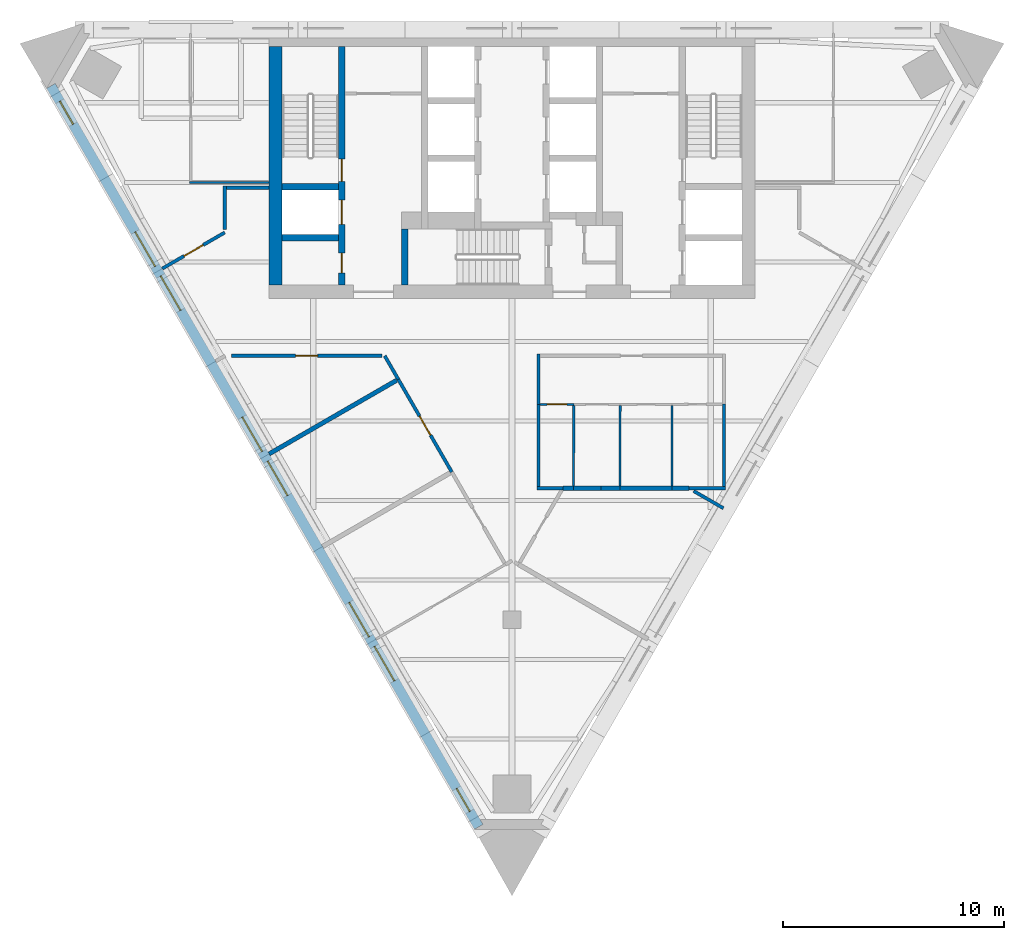
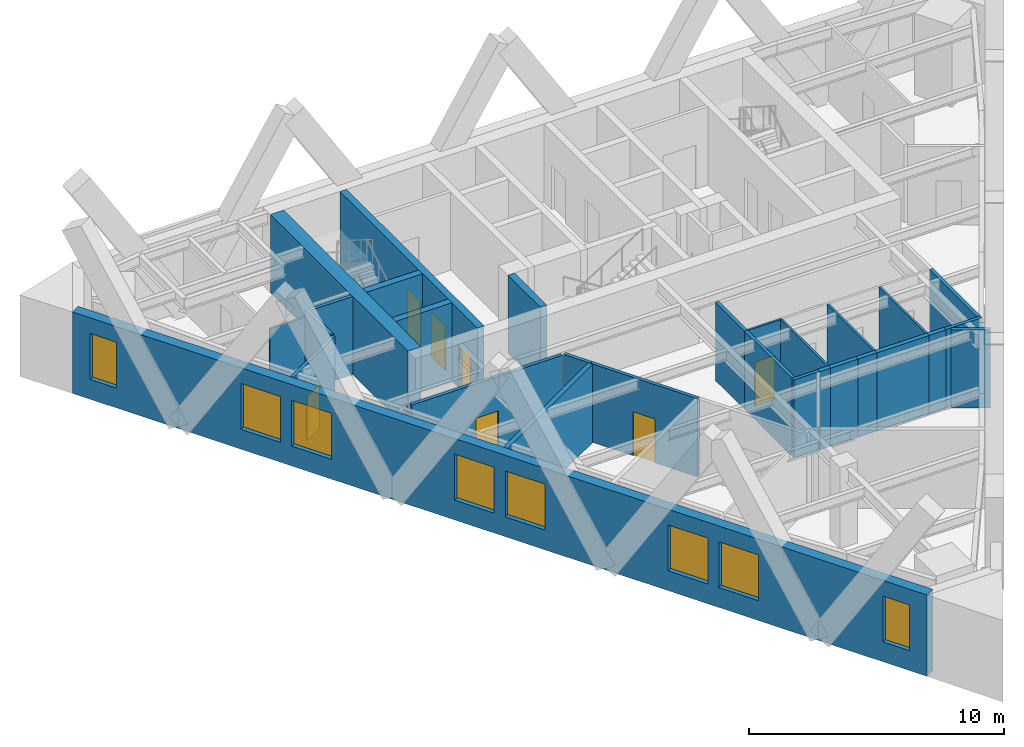
# One storey, part 3 of 7: 29 walls, 8 windows, 7 doors, 15 openings.
"""IFC4 building model written with IfcOpenShell, lengths in metres."""

from ifc_helpers import new_model, si_unit, direction, frame, frame_2d, origin, place, context, subcontext, project, spatial, polyline, rectangle, outline, extrude, material, layer, layer_set, type_object, element, fill, save


model = new_model("IFC4")

# Units and contexts
model_context = context("Model", 3, precision=1e-05, world=origin(), true_north=direction((0.0, 1.0)))
body_context = subcontext(model_context, "Body", "Model", "MODEL_VIEW")
ifc_project = project(units=[si_unit("LENGTHUNIT", "METRE"), si_unit("AREAUNIT", "SQUARE_METRE"), si_unit("VOLUMEUNIT", "CUBIC_METRE"), si_unit("PLANEANGLEUNIT", "RADIAN"), si_unit("MASSUNIT", "GRAM", prefix="KILO")], contexts=[model_context])

# Site, building, storey
site_placement = place(None, origin())
site = spatial("IfcSite", under=ifc_project, at=site_placement, CompositionType="ELEMENT")
building_placement = place(site_placement, origin())
building = spatial("IfcBuilding", under=site, at=building_placement, Name="Aloe Facet Convention Tower", CompositionType="ELEMENT")
storey_placement = place(building_placement, frame((0.0, 0.0, 188.0)))
storey = spatial("IfcBuildingStorey", under=building, at=storey_placement, Name="L47", CompositionType="ELEMENT", Elevation=188.0)

# Walls
ifc_material_1 = material(Name="Concrete C50/60", Category="concrete")
ifc_layer_1 = layer(ifc_material_1, 0.300048828125)
ifc_layer_set_1 = layer_set([ifc_layer_1], Name="CR-W-RC300-C5060")
wall_type_1 = type_object("IfcWallType", Name="CR-W-RC300-C5060", PredefinedType="SOLIDWALL", material=ifc_layer_set_1)
for number, where, z_axis, x_axis, name in (
    (1, (69.60009765625, 127.60009765625, 0.0), (0.0, 0.0, 1.0), (1.0, 0.0, 0.0), "Core wall L47-004"),
    (2, (69.60009765625, 125.300048828125, 0.0), (0.0, 0.0, 1.0), (1.0, 0.0, 0.0), "Core wall L47-005"),
):
    element("IfcWall", number, at=place(storey_placement, frame(where, z_axis=z_axis, x_axis=x_axis)), inside=storey, type_object=wall_type_1, Name=name, PredefinedType="SOLIDWALL", context=body_context, shape_type="SweptSolid", body=[
        extrude(rectangle(XDim=2.5498046875, YDim=0.300048828125, at=frame_2d((1.27490234375, 0.0))), origin(), (0.0, 0.0, 1.0), 3.75),
    ])

# Wall, openings, doors
wall_1_placement = place(storey_placement, frame((72.300048828125, 133.949951171875, 0.0), z_axis=(0.0, 0.0, 1.0), x_axis=(0.0, -1.0, 0.0)))
wall_1 = element("IfcWall", 3, at=wall_1_placement, inside=storey, type_object=wall_type_1, Name="Core wall L47-006", PredefinedType="SOLIDWALL", context=body_context, shape_type="SweptSolid", body=[
    extrude(rectangle(XDim=10.800048828125, YDim=0.300048828125, at=frame_2d((5.39990234375, 0.0))), origin(), (0.0, 0.0, 1.0), 3.75),
])
opening_1_placement = place(wall_1_placement, frame((6.949951171875, 0.0, 0.0)))
opening_1 = element("IfcOpeningElement", 4, at=opening_1_placement, cuts=wall_1, Name="Opening LD-FF1-L47", PredefinedType="OPENING", context=body_context, shape_type="SweptSolid", body=[
    extrude(rectangle(XDim=1.10009765625, YDim=2.10009765625, at=frame_2d((0.550048828125, 1.050048828125))), frame((0.0, 0.16015625, 0.0), z_axis=(0.0, -1.0, 0.0), x_axis=(1.0, 0.0, 0.0)), (0.0, 0.0, 1.0), 0.320068359375),
])
opening_2_placement = place(wall_1_placement, frame((9.35009765625, 0.0, 0.0)))
opening_2 = element("IfcOpeningElement", 5, at=opening_2_placement, cuts=wall_1, Name="Opening L47-CD15", PredefinedType="OPENING", context=body_context, shape_type="SweptSolid", body=[
    extrude(rectangle(XDim=0.89990234375, YDim=2.10009765625, at=frame_2d((0.449951171875, 1.050048828125))), frame((0.0, 0.16015625, 0.0), z_axis=(0.0, -1.0, 0.0), x_axis=(1.0, 0.0, 0.0)), (0.0, 0.0, 1.0), 0.320068359375),
])
opening_3_placement = place(wall_1_placement, frame((5.10009765625, 0.0, 0.0)))
opening_3 = element("IfcOpeningElement", 6, at=opening_3_placement, cuts=wall_1, Name="Opening L47-CD16", PredefinedType="OPENING", context=body_context, shape_type="SweptSolid", body=[
    extrude(rectangle(XDim=1.0, YDim=2.10009765625, at=frame_2d((0.5, 1.050048828125))), frame((0.0, 0.16015625, 0.0), z_axis=(0.0, -1.0, 0.0), x_axis=(1.0, 0.0, 0.0)), (0.0, 0.0, 1.0), 0.320068359375),
])
ifc_material_2 = material(Name="Steel fire-resisting door set FD60", Category="steel")
door_type_1 = type_object("IfcDoorType", Name="CR-D-ROOM-900-FD60-SLEFT", OperationType="SINGLE_SWING_LEFT", PredefinedType="DOOR", material=ifc_material_2)
door_1_placement = place(opening_2_placement, origin())
door_1 = element("IfcDoor", 7, at=door_1_placement, inside=storey, type_object=door_type_1, Name="Core door L47-CD15", OperationType="SINGLE_SWING_LEFT", OverallHeight=2.10009765625, OverallWidth=0.89990234375, PredefinedType="DOOR", context=body_context, shape_type="SweptSolid", body=[
    extrude(rectangle(XDim=0.89990234375, YDim=2.10009765625, at=frame_2d((0.449951171875, 1.050048828125))), frame((0.0, 0.02490234375, 0.0), z_axis=(0.0, -1.0, 0.0), x_axis=(1.0, 0.0, 0.0)), (0.0, 0.0, 1.0), 0.050048828125),
])
fill(opening_2, door_1)
ifc_material_3 = material(Name="Steel fire-resisting door set FD120", Category="steel")
door_type_2 = type_object("IfcDoorType", Name="CR-D-STAIR-1000-FD120-SRIGHT", OperationType="SINGLE_SWING_RIGHT", PredefinedType="DOOR", material=ifc_material_3)
door_2_placement = place(opening_3_placement, origin())
door_2 = element("IfcDoor", 8, at=door_2_placement, inside=storey, type_object=door_type_2, Name="Core door L47-CD16", OperationType="SINGLE_SWING_RIGHT", OverallHeight=2.10009765625, OverallWidth=1.0, PredefinedType="DOOR", context=body_context, shape_type="SweptSolid", body=[
    extrude(rectangle(XDim=1.0, YDim=2.10009765625, at=frame_2d((0.5, 1.050048828125))), frame((0.0, 0.02490234375, 0.0), z_axis=(0.0, -1.0, 0.0), x_axis=(1.0, 0.0, 0.0)), (0.0, 0.0, 1.0), 0.050048828125),
])
fill(opening_3, door_2)
ifc_material_4 = material(Name="Stainless steel sliding landing door", Category="steel")
door_type_3 = type_object("IfcDoorType", Name="CR-LD-1100-FD120-_LEFT", OperationType="SLIDING_TO_LEFT", PredefinedType="DOOR", material=ifc_material_4)
door_3_placement = place(opening_1_placement, origin())
door_3 = element("IfcDoor", 9, at=door_3_placement, inside=storey, type_object=door_type_3, Name="Landing door FF1 L47", OperationType="SLIDING_TO_LEFT", OverallHeight=2.10009765625, OverallWidth=1.10009765625, PredefinedType="DOOR", context=body_context, shape_type="SweptSolid", body=[
    extrude(rectangle(XDim=1.10009765625, YDim=2.10009765625, at=frame_2d((0.550048828125, 1.050048828125))), frame((0.0, 0.02490234375, 0.0), z_axis=(0.0, -1.0, 0.0), x_axis=(1.0, 0.0, 0.0)), (0.0, 0.0, 1.0), 0.050048828125),
])
fill(opening_1, door_3)

# Walls
wall_2_placement = place(storey_placement, frame((75.14990234375, 125.699951171875, 0.0), z_axis=(0.0, 0.0, 1.0), x_axis=(0.0, -1.0, 0.0)))
element("IfcWall", 10, at=wall_2_placement, inside=storey, type_object=wall_type_1, Name="Core wall L47-009", PredefinedType="SOLIDWALL", context=body_context, shape_type="SweptSolid", body=[
    extrude(rectangle(XDim=2.550048828125, YDim=0.300048828125, at=frame_2d((1.27490234375, 0.0))), origin(), (0.0, 0.0, 1.0), 3.75),
])
ifc_material_5 = material(Name="Concrete C50/60", Category="concrete")
ifc_layer_2 = layer(ifc_material_5, 0.60009765625)
ifc_layer_set_2 = layer_set([ifc_layer_2], Name="CR-W-RC600-C5060")
wall_type_2 = type_object("IfcWallType", Name="CR-W-RC600-C5060", PredefinedType="SOLIDWALL", material=ifc_layer_set_2)
wall_3_placement = place(storey_placement, frame((69.300048828125, 133.949951171875, 0.0), z_axis=(0.0, 0.0, 1.0), x_axis=(0.0, -1.0, 0.0)))
element("IfcWall", 11, at=wall_3_placement, inside=storey, type_object=wall_type_2, Name="Core wall L47-002", PredefinedType="SOLIDWALL", context=body_context, shape_type="SweptSolid", body=[
    extrude(rectangle(XDim=10.800048828125, YDim=0.60009765625, at=frame_2d((5.39990234375, 0.0))), origin(), (0.0, 0.0, 1.0), 3.75),
])

# Wall, openings, windows
ifc_material_6 = material(Name="Precast concrete C40/50", Category="concrete")
ifc_layer_3 = layer(ifc_material_6, 0.449951171875)
ifc_layer_set_3 = layer_set([ifc_layer_3], Name="EV-WALL-STONE")
wall_type_3 = type_object("IfcWallType", Name="EV-WALL-STONE", PredefinedType="SOLIDWALL", material=ifc_layer_set_3)
wall_4_placement = place(storey_placement, frame((59.130126953125, 132.16796875, -0.14990234375), z_axis=(0.0, 0.0, 1.0), x_axis=(0.500002199942, -0.866024133644, 0.0)))
wall_4 = element("IfcWall", 12, at=wall_4_placement, inside=storey, type_object=wall_type_3, Name="EW-L47-W01", PredefinedType="SOLIDWALL", context=body_context, shape_type="SweptSolid", body=[
    extrude(outline(polyline([(38.729248046875, 0.0), (38.729248046875, 3.89990234375), (0.0, 3.89990234375), (0.0, 0.0), (38.729248046875, 0.0)])), frame((0.0, 0.22509765625, 0.0), z_axis=(0.0, -1.0, 0.0), x_axis=(1.0, 0.0, 0.0)), (0.0, 0.0, 1.0), 0.449951171875),
])
opening_4_placement = place(wall_4_placement, frame((0.80712890625, 0.0, 0.949951171875)))
opening_4 = element("IfcOpeningElement", 13, at=opening_4_placement, cuts=wall_4, Name="Opening W-L47-W01", PredefinedType="OPENING", context=body_context, shape_type="SweptSolid", body=[
    extrude(rectangle(XDim=1.199951171875, YDim=2.199951171875, at=frame_2d((0.60009765625, 1.10009765625))), frame((0.0, 0.23486328125, 0.0), z_axis=(0.0, -1.0, 0.0), x_axis=(1.0, 0.0, 0.0)), (0.0, 0.0, 1.0), 0.469970703125),
])
opening_5_placement = place(wall_4_placement, frame((7.63232421875, 0.0, 0.949951171875)))
opening_5 = element("IfcOpeningElement", 14, at=opening_5_placement, cuts=wall_4, Name="Opening W-L47-W02", PredefinedType="OPENING", context=body_context, shape_type="SweptSolid", body=[
    extrude(rectangle(XDim=1.800048828125, YDim=2.199951171875, at=frame_2d((0.89990234375, 1.10009765625))), frame((0.0, 0.23486328125, 0.0), z_axis=(0.0, -1.0, 0.0), x_axis=(1.0, 0.0, 0.0)), (0.0, 0.0, 1.0), 0.469970703125),
])
opening_6_placement = place(wall_4_placement, frame((9.932373046875, 0.0, 0.949951171875)))
opening_6 = element("IfcOpeningElement", 15, at=opening_6_placement, cuts=wall_4, Name="Opening W-L47-W03", PredefinedType="OPENING", context=body_context, shape_type="SweptSolid", body=[
    extrude(rectangle(XDim=1.800048828125, YDim=2.199951171875, at=frame_2d((0.89990234375, 1.10009765625))), frame((0.0, 0.23486328125, 0.0), z_axis=(0.0, -1.0, 0.0), x_axis=(1.0, 0.0, 0.0)), (0.0, 0.0, 1.0), 0.469970703125),
])
opening_7_placement = place(wall_4_placement, frame((17.314697265625, 0.0, 0.949951171875)))
opening_7 = element("IfcOpeningElement", 16, at=opening_7_placement, cuts=wall_4, Name="Opening W-L47-W04", PredefinedType="OPENING", context=body_context, shape_type="SweptSolid", body=[
    extrude(rectangle(XDim=1.800048828125, YDim=2.199951171875, at=frame_2d((0.89990234375, 1.10009765625))), frame((0.0, 0.23486328125, 0.0), z_axis=(0.0, -1.0, 0.0), x_axis=(1.0, 0.0, 0.0)), (0.0, 0.0, 1.0), 0.469970703125),
])
opening_8_placement = place(wall_4_placement, frame((19.614501953125, 0.0, 0.949951171875)))
opening_8 = element("IfcOpeningElement", 17, at=opening_8_placement, cuts=wall_4, Name="Opening W-L47-W05", PredefinedType="OPENING", context=body_context, shape_type="SweptSolid", body=[
    extrude(rectangle(XDim=1.800048828125, YDim=2.199951171875, at=frame_2d((0.89990234375, 1.10009765625))), frame((0.0, 0.23486328125, 0.0), z_axis=(0.0, -1.0, 0.0), x_axis=(1.0, 0.0, 0.0)), (0.0, 0.0, 1.0), 0.469970703125),
])
opening_9_placement = place(wall_4_placement, frame((26.996826171875, 0.0, 0.949951171875)))
opening_9 = element("IfcOpeningElement", 18, at=opening_9_placement, cuts=wall_4, Name="Opening W-L47-W06", PredefinedType="OPENING", context=body_context, shape_type="SweptSolid", body=[
    extrude(rectangle(XDim=1.800048828125, YDim=2.199951171875, at=frame_2d((0.89990234375, 1.10009765625))), frame((0.0, 0.23486328125, 0.0), z_axis=(0.0, -1.0, 0.0), x_axis=(1.0, 0.0, 0.0)), (0.0, 0.0, 1.0), 0.469970703125),
])
opening_10_placement = place(wall_4_placement, frame((29.296875, 0.0, 0.949951171875)))
opening_10 = element("IfcOpeningElement", 19, at=opening_10_placement, cuts=wall_4, Name="Opening W-L47-W07", PredefinedType="OPENING", context=body_context, shape_type="SweptSolid", body=[
    extrude(rectangle(XDim=1.800048828125, YDim=2.199951171875, at=frame_2d((0.89990234375, 1.10009765625))), frame((0.0, 0.23486328125, 0.0), z_axis=(0.0, -1.0, 0.0), x_axis=(1.0, 0.0, 0.0)), (0.0, 0.0, 1.0), 0.469970703125),
])
opening_11_placement = place(wall_4_placement, frame((36.72216796875, 0.0, 0.949951171875)))
opening_11 = element("IfcOpeningElement", 20, at=opening_11_placement, cuts=wall_4, Name="Opening W-L47-W08", PredefinedType="OPENING", context=body_context, shape_type="SweptSolid", body=[
    extrude(rectangle(XDim=1.199951171875, YDim=2.199951171875, at=frame_2d((0.60009765625, 1.10009765625))), frame((0.0, 0.23486328125, 0.0), z_axis=(0.0, -1.0, 0.0), x_axis=(1.0, 0.0, 0.0)), (0.0, 0.0, 1.0), 0.469970703125),
])
ifc_material_7 = material(Name="Aluminium frame, clear double glazing", Category="aluminium")
window_type_1 = type_object("IfcWindowType", Name="EV-WIN-O12", PartitioningType="SINGLE_PANEL", PredefinedType="WINDOW", material=ifc_material_7)
window_1_placement = place(opening_4_placement, origin())
window_1 = element("IfcWindow", 21, at=window_1_placement, inside=storey, type_object=window_type_1, Name="W-L47-W01", OverallHeight=2.199951171875, OverallWidth=1.199951171875, PartitioningType="SINGLE_PANEL", PredefinedType="WINDOW", context=body_context, shape_type="SweptSolid", body=[
    extrude(rectangle(XDim=1.199951171875, YDim=2.199951171875, at=frame_2d((0.60009765625, 1.10009765625))), frame((0.0, 0.030029296875, 0.0), z_axis=(0.0, -1.0, 0.0), x_axis=(1.0, 0.0, 0.0)), (0.0, 0.0, 1.0), 0.06005859375),
])
fill(opening_4, window_1)
window_2_placement = place(opening_11_placement, origin())
window_2 = element("IfcWindow", 22, at=window_2_placement, inside=storey, type_object=window_type_1, Name="W-L47-W08", OverallHeight=2.199951171875, OverallWidth=1.199951171875, PartitioningType="SINGLE_PANEL", PredefinedType="WINDOW", context=body_context, shape_type="SweptSolid", body=[
    extrude(rectangle(XDim=1.199951171875, YDim=2.199951171875, at=frame_2d((0.60009765625, 1.10009765625))), frame((0.0, 0.030029296875, 0.0), z_axis=(0.0, -1.0, 0.0), x_axis=(1.0, 0.0, 0.0)), (0.0, 0.0, 1.0), 0.06005859375),
])
fill(opening_11, window_2)
ifc_material_8 = material(Name="Aluminium frame, clear double glazing", Category="aluminium")
window_type_2 = type_object("IfcWindowType", Name="EV-WIN-O18", PartitioningType="SINGLE_PANEL", PredefinedType="WINDOW", material=ifc_material_8)
window_3_placement = place(opening_5_placement, origin())
window_3 = element("IfcWindow", 23, at=window_3_placement, inside=storey, type_object=window_type_2, Name="W-L47-W02", OverallHeight=2.199951171875, OverallWidth=1.800048828125, PartitioningType="SINGLE_PANEL", PredefinedType="WINDOW", context=body_context, shape_type="SweptSolid", body=[
    extrude(rectangle(XDim=1.800048828125, YDim=2.199951171875, at=frame_2d((0.89990234375, 1.10009765625))), frame((0.0, 0.030029296875, 0.0), z_axis=(0.0, -1.0, 0.0), x_axis=(1.0, 0.0, 0.0)), (0.0, 0.0, 1.0), 0.06005859375),
])
fill(opening_5, window_3)
window_4_placement = place(opening_6_placement, origin())
window_4 = element("IfcWindow", 24, at=window_4_placement, inside=storey, type_object=window_type_2, Name="W-L47-W03", OverallHeight=2.199951171875, OverallWidth=1.800048828125, PartitioningType="SINGLE_PANEL", PredefinedType="WINDOW", context=body_context, shape_type="SweptSolid", body=[
    extrude(rectangle(XDim=1.800048828125, YDim=2.199951171875, at=frame_2d((0.89990234375, 1.10009765625))), frame((0.0, 0.030029296875, 0.0), z_axis=(0.0, -1.0, 0.0), x_axis=(1.0, 0.0, 0.0)), (0.0, 0.0, 1.0), 0.06005859375),
])
fill(opening_6, window_4)
window_5_placement = place(opening_7_placement, origin())
window_5 = element("IfcWindow", 25, at=window_5_placement, inside=storey, type_object=window_type_2, Name="W-L47-W04", OverallHeight=2.199951171875, OverallWidth=1.800048828125, PartitioningType="SINGLE_PANEL", PredefinedType="WINDOW", context=body_context, shape_type="SweptSolid", body=[
    extrude(rectangle(XDim=1.800048828125, YDim=2.199951171875, at=frame_2d((0.89990234375, 1.10009765625))), frame((0.0, 0.030029296875, 0.0), z_axis=(0.0, -1.0, 0.0), x_axis=(1.0, 0.0, 0.0)), (0.0, 0.0, 1.0), 0.06005859375),
])
fill(opening_7, window_5)
window_6_placement = place(opening_8_placement, origin())
window_6 = element("IfcWindow", 26, at=window_6_placement, inside=storey, type_object=window_type_2, Name="W-L47-W05", OverallHeight=2.199951171875, OverallWidth=1.800048828125, PartitioningType="SINGLE_PANEL", PredefinedType="WINDOW", context=body_context, shape_type="SweptSolid", body=[
    extrude(rectangle(XDim=1.800048828125, YDim=2.199951171875, at=frame_2d((0.89990234375, 1.10009765625))), frame((0.0, 0.030029296875, 0.0), z_axis=(0.0, -1.0, 0.0), x_axis=(1.0, 0.0, 0.0)), (0.0, 0.0, 1.0), 0.06005859375),
])
fill(opening_8, window_6)
window_7_placement = place(opening_9_placement, origin())
window_7 = element("IfcWindow", 27, at=window_7_placement, inside=storey, type_object=window_type_2, Name="W-L47-W06", OverallHeight=2.199951171875, OverallWidth=1.800048828125, PartitioningType="SINGLE_PANEL", PredefinedType="WINDOW", context=body_context, shape_type="SweptSolid", body=[
    extrude(rectangle(XDim=1.800048828125, YDim=2.199951171875, at=frame_2d((0.89990234375, 1.10009765625))), frame((0.0, 0.030029296875, 0.0), z_axis=(0.0, -1.0, 0.0), x_axis=(1.0, 0.0, 0.0)), (0.0, 0.0, 1.0), 0.06005859375),
])
fill(opening_9, window_7)
window_8_placement = place(opening_10_placement, origin())
window_8 = element("IfcWindow", 28, at=window_8_placement, inside=storey, type_object=window_type_2, Name="W-L47-W07", OverallHeight=2.199951171875, OverallWidth=1.800048828125, PartitioningType="SINGLE_PANEL", PredefinedType="WINDOW", context=body_context, shape_type="SweptSolid", body=[
    extrude(rectangle(XDim=1.800048828125, YDim=2.199951171875, at=frame_2d((0.89990234375, 1.10009765625))), frame((0.0, 0.030029296875, 0.0), z_axis=(0.0, -1.0, 0.0), x_axis=(1.0, 0.0, 0.0)), (0.0, 0.0, 1.0), 0.06005859375),
])
fill(opening_10, window_8)

# Walls
ifc_material_9 = material(Name="Gypsum board partition on steel studs", Category="steel")
ifc_layer_4 = layer(ifc_material_9, 0.14990234375)
ifc_layer_set_4 = layer_set([ifc_layer_4], Name="IN-W-CORR")
wall_type_4 = type_object("IfcWallType", Name="IN-W-CORR", PredefinedType="PARTITIONING", material=ifc_layer_set_4)
wall_5_placement = place(storey_placement, frame((88.220703125, 113.830078125, 0.0), z_axis=(0.0, 0.0, 1.0), x_axis=(0.865997745606, -0.500047902311, 0.0)))
element("IfcWall", 29, at=wall_5_placement, inside=storey, type_object=wall_type_4, Name="Partition L47-W007", PredefinedType="PARTITIONING", context=body_context, shape_type="SweptSolid", body=[
    extrude(rectangle(XDim=1.558349609375, YDim=0.14990234375, at=frame_2d((0.779296875, 0.0))), origin(), (0.0, 0.0, 1.0), 3.75),
])
wall_6_placement = place(storey_placement, frame((81.126953125, 113.949951171875, 0.0), z_axis=(0.0, 0.0, 1.0), x_axis=(1.0, 0.0, 0.0)))
element("IfcWall", 30, at=wall_6_placement, inside=storey, type_object=wall_type_4, Name="Partition L47-W011", PredefinedType="PARTITIONING", context=body_context, shape_type="SweptSolid", body=[
    extrude(rectangle(XDim=1.17041015625, YDim=0.14990234375, at=frame_2d((0.585205078125, 0.0))), origin(), (0.0, 0.0, 1.0), 3.75),
])
wall_7_placement = place(storey_placement, frame((88.0126953125, 113.949951171875, 0.0), z_axis=(0.0, 0.0, 1.0), x_axis=(1.0, 0.0, 0.0)))
element("IfcWall", 31, at=wall_7_placement, inside=storey, type_object=wall_type_4, Name="Partition L47-W015", PredefinedType="PARTITIONING", context=body_context, shape_type="SweptSolid", body=[
    extrude(rectangle(XDim=1.66015625, YDim=0.14990234375, at=frame_2d((0.830078125, 0.0))), origin(), (0.0, 0.0, 1.0), 3.75),
])
wall_8_placement = place(storey_placement, frame((89.597900390625, 114.02490234375, 0.0), z_axis=(0.0, 0.0, 1.0), x_axis=(0.000588273642, 0.999999826967, 0.0)))
element("IfcWall", 32, at=wall_8_placement, inside=storey, type_object=wall_type_4, Name="Partition L47-W016", PredefinedType="PARTITIONING", context=body_context, shape_type="SweptSolid", body=[
    extrude(rectangle(XDim=3.735107421875, YDim=0.14990234375, at=frame_2d((1.86767578125, 0.0))), origin(), (0.0, 0.0, 1.0), 3.75),
])

# Wall, opening, door
wall_9_placement = place(storey_placement, frame((74.85302734375, 118.88525390625, 0.0), z_axis=(0.0, 0.0, 1.0), x_axis=(0.500006196252, -0.866021826347, 0.0)))
wall_9 = element("IfcWall", 33, at=wall_9_placement, inside=storey, type_object=wall_type_4, Name="Partition L47-W017", PredefinedType="PARTITIONING", context=body_context, shape_type="SweptSolid", body=[
    extrude(rectangle(XDim=4.84130859375, YDim=0.14990234375, at=frame_2d((2.420654296875, 0.0))), origin(), (0.0, 0.0, 1.0), 3.75),
])
opening_12_placement = place(wall_9_placement, frame((1.920654296875, 0.0, 0.0)))
opening_12 = element("IfcOpeningElement", 34, at=opening_12_placement, cuts=wall_9, Name="Opening L47-010", PredefinedType="OPENING", context=body_context, shape_type="SweptSolid", body=[
    extrude(rectangle(XDim=1.0, YDim=2.10009765625, at=frame_2d((0.5, 1.050048828125))), frame((0.0, 0.0849609375, 0.0), z_axis=(0.0, -1.0, 0.0), x_axis=(1.0, 0.0, 0.0)), (0.0, 0.0, 1.0), 0.169921875),
])
ifc_material_10 = material(Name="Timber door FD30S with vision panel", Category="wood")
door_type_4 = type_object("IfcDoorType", Name="IN-OFF-D-ENTRY", OperationType="SINGLE_SWING_LEFT", PredefinedType="DOOR", material=ifc_material_10)
door_4_placement = place(opening_12_placement, origin())
door_4 = element("IfcDoor", 35, at=door_4_placement, inside=storey, type_object=door_type_4, Name="Door L47-010", OperationType="SINGLE_SWING_LEFT", OverallHeight=2.10009765625, OverallWidth=1.0, PredefinedType="DOOR", context=body_context, shape_type="SweptSolid", body=[
    extrude(rectangle(XDim=1.0, YDim=2.10009765625, at=frame_2d((0.5, 1.050048828125))), frame((0.0, 0.02490234375, 0.0), z_axis=(0.0, -1.0, 0.0), x_axis=(1.0, 0.0, 0.0)), (0.0, 0.0, 1.0), 0.050048828125),
])
fill(opening_12, door_4)

# Walls
wall_10_placement = place(storey_placement, frame((81.201904296875, 114.02490234375, 0.0), z_axis=(0.0, 0.0, 1.0), x_axis=(-0.000524315041, 0.999999862547, 0.0)))
element("IfcWall", 36, at=wall_10_placement, inside=storey, type_object=wall_type_4, Name="Partition L47-W027", PredefinedType="PARTITIONING", context=body_context, shape_type="SweptSolid", body=[
    extrude(rectangle(XDim=3.72509765625, YDim=0.14990234375, at=frame_2d((1.862548828125, 0.0))), origin(), (0.0, 0.0, 1.0), 3.75),
])
wall_11_placement = place(storey_placement, frame((74.239013671875, 119.948974609375, 0.0), z_axis=(0.0, 0.0, 1.0), x_axis=(0.499923202248, -0.866069738447, 0.0)))
element("IfcWall", 37, at=wall_11_placement, inside=storey, type_object=wall_type_4, Name="Partition L47-W028", PredefinedType="PARTITIONING", context=body_context, shape_type="SweptSolid", body=[
    extrude(rectangle(XDim=1.228271484375, YDim=0.14990234375, at=frame_2d((0.6142578125, 0.0))), origin(), (0.0, 0.0, 1.0), 3.75),
])
wall_12_placement = place(storey_placement, frame((81.199951171875, 117.75, 0.0), z_axis=(0.0, 0.0, 1.0), x_axis=(0.0, 1.0, 0.0)))
element("IfcWall", 38, at=wall_12_placement, inside=storey, type_object=wall_type_4, Name="Partition L47-W029", PredefinedType="PARTITIONING", context=body_context, shape_type="SweptSolid", body=[
    extrude(rectangle(XDim=2.27294921875, YDim=0.14990234375, at=frame_2d((1.136474609375, 0.0))), origin(), (0.0, 0.0, 1.0), 3.75),
])

# Wall, opening, door
wall_13_placement = place(storey_placement, frame((67.294189453125, 119.94970703125, 0.0), z_axis=(0.0, 0.0, 1.0), x_axis=(0.999999994225, -0.000107472952, 0.0)))
wall_13 = element("IfcWall", 39, at=wall_13_placement, inside=storey, type_object=wall_type_4, Name="Partition L47-W031", PredefinedType="PARTITIONING", context=body_context, shape_type="SweptSolid", body=[
    extrude(rectangle(XDim=6.81494140625, YDim=0.14990234375, at=frame_2d((3.407470703125, 0.0))), origin(), (0.0, 0.0, 1.0), 3.75),
])
opening_13_placement = place(wall_13_placement, frame((2.907470703125, 0.0, 0.0)))
opening_13 = element("IfcOpeningElement", 40, at=opening_13_placement, cuts=wall_13, Name="Opening L47-009", PredefinedType="OPENING", context=body_context, shape_type="SweptSolid", body=[
    extrude(rectangle(XDim=1.0, YDim=2.10009765625, at=frame_2d((0.5, 1.050048828125))), frame((0.0, 0.0849609375, 0.0), z_axis=(0.0, -1.0, 0.0), x_axis=(1.0, 0.0, 0.0)), (0.0, 0.0, 1.0), 0.169921875),
])
door_5_placement = place(opening_13_placement, origin())
door_5 = element("IfcDoor", 41, at=door_5_placement, inside=storey, type_object=door_type_4, Name="Door L47-009", OperationType="SINGLE_SWING_LEFT", OverallHeight=2.10009765625, OverallWidth=1.0, PredefinedType="DOOR", context=body_context, shape_type="SweptSolid", body=[
    extrude(rectangle(XDim=1.0, YDim=2.10009765625, at=frame_2d((0.5, 1.050048828125))), frame((0.0, 0.02490234375, 0.0), z_axis=(0.0, -1.0, 0.0), x_axis=(1.0, 0.0, 0.0)), (0.0, 0.0, 1.0), 0.050048828125),
])
fill(opening_13, door_5)

wall_14_placement = place(storey_placement, frame((64.175048828125, 123.900390625, 0.0), z_axis=(0.0, 0.0, 1.0), x_axis=(0.866032230194, 0.499988176125, 0.0)))
wall_14 = element("IfcWall", 42, at=wall_14_placement, inside=storey, type_object=wall_type_4, Name="Partition L47-W033", PredefinedType="PARTITIONING", context=body_context, shape_type="SweptSolid", body=[
    extrude(rectangle(XDim=3.2607421875, YDim=0.14990234375, at=frame_2d((1.63037109375, 0.0))), origin(), (0.0, 0.0, 1.0), 3.75),
])
opening_14_placement = place(wall_14_placement, frame((1.13037109375, 0.0, 0.0)))
opening_14 = element("IfcOpeningElement", 43, at=opening_14_placement, cuts=wall_14, Name="Opening L47-008", PredefinedType="OPENING", context=body_context, shape_type="SweptSolid", body=[
    extrude(rectangle(XDim=1.0, YDim=2.10009765625, at=frame_2d((0.5, 1.050048828125))), frame((0.0, 0.0849609375, 0.0), z_axis=(0.0, -1.0, 0.0), x_axis=(1.0, 0.0, 0.0)), (0.0, 0.0, 1.0), 0.169921875),
])
door_6_placement = place(opening_14_placement, origin())
door_6 = element("IfcDoor", 44, at=door_6_placement, inside=storey, type_object=door_type_4, Name="Door L47-008", OperationType="SINGLE_SWING_LEFT", OverallHeight=2.10009765625, OverallWidth=1.0, PredefinedType="DOOR", context=body_context, shape_type="SweptSolid", body=[
    extrude(rectangle(XDim=1.0, YDim=2.10009765625, at=frame_2d((0.5, 1.050048828125))), frame((0.0, 0.02490234375, 0.0), z_axis=(0.0, -1.0, 0.0), x_axis=(1.0, 0.0, 0.0)), (0.0, 0.0, 1.0), 0.050048828125),
])
fill(opening_14, door_6)

# Walls
wall_15_placement = place(storey_placement, frame((66.9990234375, 125.660888671875, 0.0), z_axis=(0.0, 0.0, 1.0), x_axis=(0.00049720317, 0.999999876394, 0.0)))
element("IfcWall", 45, at=wall_15_placement, inside=storey, type_object=wall_type_4, Name="Partition L47-W035", PredefinedType="PARTITIONING", context=body_context, shape_type="SweptSolid", body=[
    extrude(rectangle(XDim=1.964111328125, YDim=0.14990234375, at=frame_2d((0.98193359375, 0.0))), origin(), (0.0, 0.0, 1.0), 3.75),
])
wall_16_placement = place(storey_placement, frame((67.074951171875, 127.550048828125, 0.0), z_axis=(0.0, 0.0, 1.0), x_axis=(1.0, 0.0, 0.0)))
element("IfcWall", 46, at=wall_16_placement, inside=storey, type_object=wall_type_4, Name="Partition L47-W036", PredefinedType="PARTITIONING", context=body_context, shape_type="SweptSolid", body=[
    extrude(rectangle(XDim=1.925048828125, YDim=0.14990234375, at=frame_2d((0.96240234375, 0.0))), origin(), (0.0, 0.0, 1.0), 3.75),
])
ifc_material_11 = material(Name="Gypsum board partition on steel studs", Category="steel")
ifc_layer_5 = layer(ifc_material_11, 0.10009765625)
ifc_layer_set_5 = layer_set([ifc_layer_5], Name="IN-W-PART")
wall_type_5 = type_object("IfcWallType", Name="IN-W-PART", PredefinedType="PARTITIONING", material=ifc_layer_set_5)
wall_17_placement = place(storey_placement, frame((82.786376953125, 114.050048828125, 0.0), z_axis=(0.0, 0.0, 1.0), x_axis=(0.002608686776, 0.999996597371, 0.0)))
element("IfcWall", 47, at=wall_17_placement, inside=storey, type_object=wall_type_5, Name="Partition L47-W020", PredefinedType="PARTITIONING", context=body_context, shape_type="SweptSolid", body=[
    extrude(rectangle(XDim=3.64990234375, YDim=0.10009765625, at=frame_2d((1.824951171875, 0.0))), origin(), (0.0, 0.0, 1.0), 3.75),
])

# Wall, opening, door
wall_18_placement = place(storey_placement, frame((81.27490234375, 117.75, 0.0), z_axis=(0.0, 0.0, 1.0), x_axis=(1.0, 0.0, 0.0)))
wall_18 = element("IfcWall", 48, at=wall_18_placement, inside=storey, type_object=wall_type_5, Name="Partition L47-W021", PredefinedType="PARTITIONING", context=body_context, shape_type="SweptSolid", body=[
    extrude(rectangle(XDim=1.52099609375, YDim=0.10009765625, at=frame_2d((0.760498046875, 0.0))), origin(), (0.0, 0.0, 1.0), 3.75),
])
opening_15_placement = place(wall_18_placement, frame((0.310546875, 0.0, 0.0)))
opening_15 = element("IfcOpeningElement", 49, at=opening_15_placement, cuts=wall_18, Name="Opening L47-002", PredefinedType="OPENING", context=body_context, shape_type="SweptSolid", body=[
    extrude(rectangle(XDim=0.89990234375, YDim=2.10009765625, at=frame_2d((0.449951171875, 1.050048828125))), frame((0.0, 0.06005859375, 0.0), z_axis=(0.0, -1.0, 0.0), x_axis=(1.0, 0.0, 0.0)), (0.0, 0.0, 1.0), 0.1201171875),
])
ifc_material_12 = material(Name="Timber door", Category="wood")
door_type_5 = type_object("IfcDoorType", Name="IN-OFF-D-ROOM", OperationType="SINGLE_SWING_LEFT", PredefinedType="DOOR", material=ifc_material_12)
door_7_placement = place(opening_15_placement, origin())
door_7 = element("IfcDoor", 50, at=door_7_placement, inside=storey, type_object=door_type_5, Name="Door L47-002", OperationType="SINGLE_SWING_LEFT", OverallHeight=2.10009765625, OverallWidth=0.89990234375, PredefinedType="DOOR", context=body_context, shape_type="SweptSolid", body=[
    extrude(rectangle(XDim=0.89990234375, YDim=2.10009765625, at=frame_2d((0.449951171875, 1.050048828125))), frame((0.0, 0.02490234375, 0.0), z_axis=(0.0, -1.0, 0.0), x_axis=(1.0, 0.0, 0.0)), (0.0, 0.0, 1.0), 0.050048828125),
])
fill(opening_15, door_7)

# Walls
for number, where, z_axis, x_axis, name in (
    (51, (84.88623046875, 114.047119140625, 0.0), (0.0, 0.0, 1.0), (0.00260659454, 0.999996602827, 0.0), "Partition L47-W022"),
    (52, (87.248046875, 114.047119140625, 0.0), (0.0, 0.0, 1.0), (0.0, 1.0, 0.0), "Partition L47-W024"),
):
    element("IfcWall", number, at=place(storey_placement, frame(where, z_axis=z_axis, x_axis=x_axis)), inside=storey, type_object=wall_type_5, Name=name, PredefinedType="PARTITIONING", context=body_context, shape_type="SweptSolid", body=[
        extrude(rectangle(XDim=3.65283203125, YDim=0.10009765625, at=frame_2d((1.826416015625, 0.0))), origin(), (0.0, 0.0, 1.0), 3.75),
    ])
wall_19_placement = place(storey_placement, frame((65.406982421875, 127.800048828125, 0.0), z_axis=(0.0, 0.0, 1.0), x_axis=(1.0, 0.0, 0.0)))
element("IfcWall", 53, at=wall_19_placement, inside=storey, type_object=wall_type_5, Name="Partition L47-W039", PredefinedType="PARTITIONING", context=body_context, shape_type="SweptSolid", body=[
    extrude(rectangle(XDim=3.593017578125, YDim=0.10009765625, at=frame_2d((1.79638671875, 0.0))), origin(), (0.0, 0.0, 1.0), 3.280029296875),
])
ifc_material_13 = material(Name="Gypsum board partition on steel studs", Category="steel")
ifc_layer_6 = layer(ifc_material_13, 0.199951171875)
ifc_layer_set_6 = layer_set([ifc_layer_6], Name="IN-W-PARTY")
wall_type_6 = type_object("IfcWallType", Name="IN-W-PARTY", PredefinedType="PARTITIONING", material=ifc_layer_set_6)
wall_20_placement = place(storey_placement, frame((84.02392578125, 113.947021484375, 0.0), z_axis=(0.0, 0.0, 1.0), x_axis=(1.0, 0.0, 0.0)))
element("IfcWall", 54, at=wall_20_placement, inside=storey, type_object=wall_type_6, Name="Partition L47-W008", PredefinedType="PARTITIONING", context=body_context, shape_type="SweptSolid", body=[
    extrude(rectangle(XDim=0.862060546875, YDim=0.199951171875, at=frame_2d((0.43115234375, 0.0))), origin(), (0.0, 0.0, 1.0), 3.75),
])
wall_21_placement = place(storey_placement, frame((84.885986328125, 113.947021484375, 0.0), z_axis=(0.0, 0.0, 1.0), x_axis=(1.0, 0.0, 0.0)))
element("IfcWall", 55, at=wall_21_placement, inside=storey, type_object=wall_type_6, Name="Partition L47-W009", PredefinedType="PARTITIONING", context=body_context, shape_type="SweptSolid", body=[
    extrude(rectangle(XDim=2.362060546875, YDim=0.199951171875, at=frame_2d((1.18115234375, 0.0))), origin(), (0.0, 0.0, 1.0), 3.75),
])
wall_22_placement = place(storey_placement, frame((87.248046875, 113.947021484375, 0.0), z_axis=(0.0, 0.0, 1.0), x_axis=(0.9999926602, 0.003831389503, 0.0)))
element("IfcWall", 56, at=wall_22_placement, inside=storey, type_object=wall_type_6, Name="Partition L47-W010", PredefinedType="PARTITIONING", context=body_context, shape_type="SweptSolid", body=[
    extrude(rectangle(XDim=0.7646484375, YDim=0.199951171875, at=frame_2d((0.38232421875, 0.0))), origin(), (0.0, 0.0, 1.0), 3.75),
])
wall_23_placement = place(storey_placement, frame((82.29736328125, 113.949951171875, 0.0), z_axis=(0.0, 0.0, 1.0), x_axis=(1.0, 0.0, 0.0)))
element("IfcWall", 57, at=wall_23_placement, inside=storey, type_object=wall_type_6, Name="Partition L47-W013", PredefinedType="PARTITIONING", context=body_context, shape_type="SweptSolid", body=[
    extrude(rectangle(XDim=0.488525390625, YDim=0.199951171875, at=frame_2d((0.244140625, 0.0))), origin(), (0.0, 0.0, 1.0), 3.75),
])
wall_24_placement = place(storey_placement, frame((82.785888671875, 113.949951171875, 0.0), z_axis=(0.0, 0.0, 1.0), x_axis=(0.999997200094, -0.002366390535, 0.0)))
element("IfcWall", 58, at=wall_24_placement, inside=storey, type_object=wall_type_6, Name="Partition L47-W014", PredefinedType="PARTITIONING", context=body_context, shape_type="SweptSolid", body=[
    extrude(rectangle(XDim=1.238037109375, YDim=0.199951171875, at=frame_2d((0.619140625, 0.0))), origin(), (0.0, 0.0, 1.0), 3.75),
])
wall_25_placement = place(storey_placement, frame((69.00732421875, 115.51025390625, 0.0), z_axis=(0.0, 0.0, 1.0), x_axis=(0.866030041738, 0.499991966744, 0.0)))
element("IfcWall", 59, at=wall_25_placement, inside=storey, type_object=wall_type_6, Name="Partition L47-W018", PredefinedType="PARTITIONING", context=body_context, shape_type="SweptSolid", body=[
    extrude(rectangle(XDim=6.6650390625, YDim=0.199951171875, at=frame_2d((3.33251953125, 0.0))), origin(), (0.0, 0.0, 1.0), 3.75),
])

save(model, "model.ifc")
